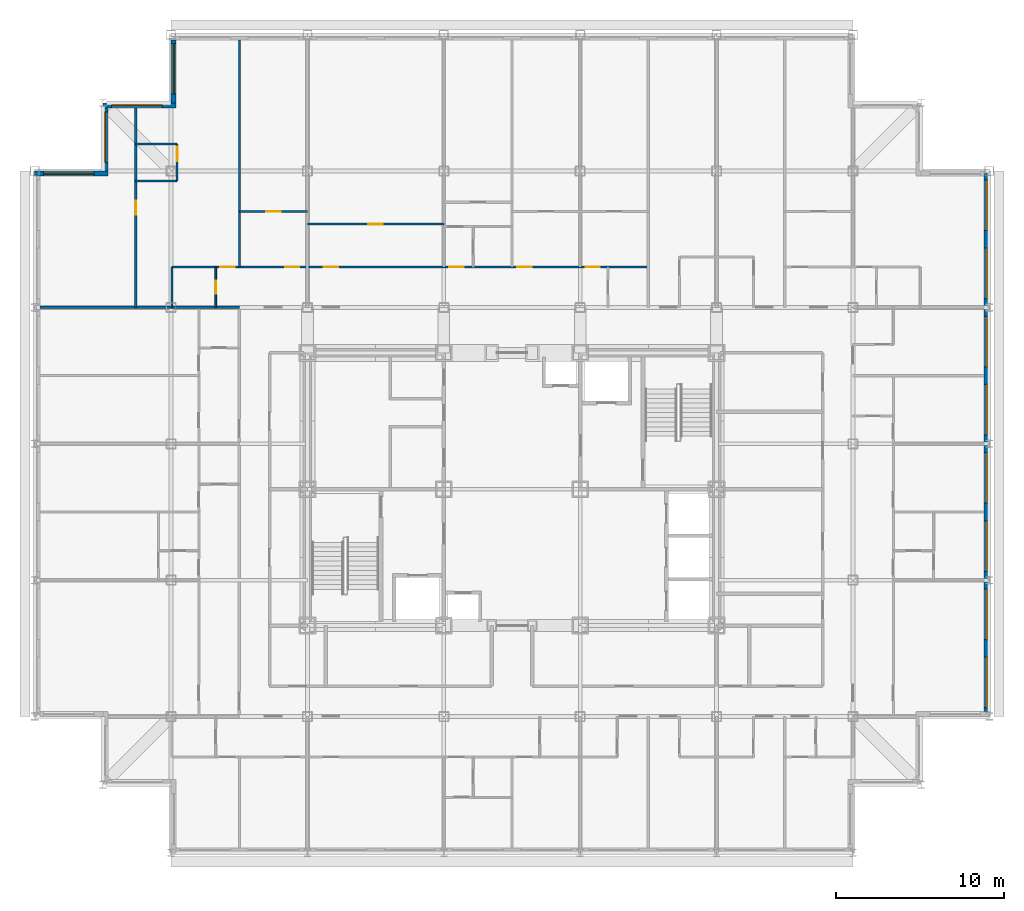
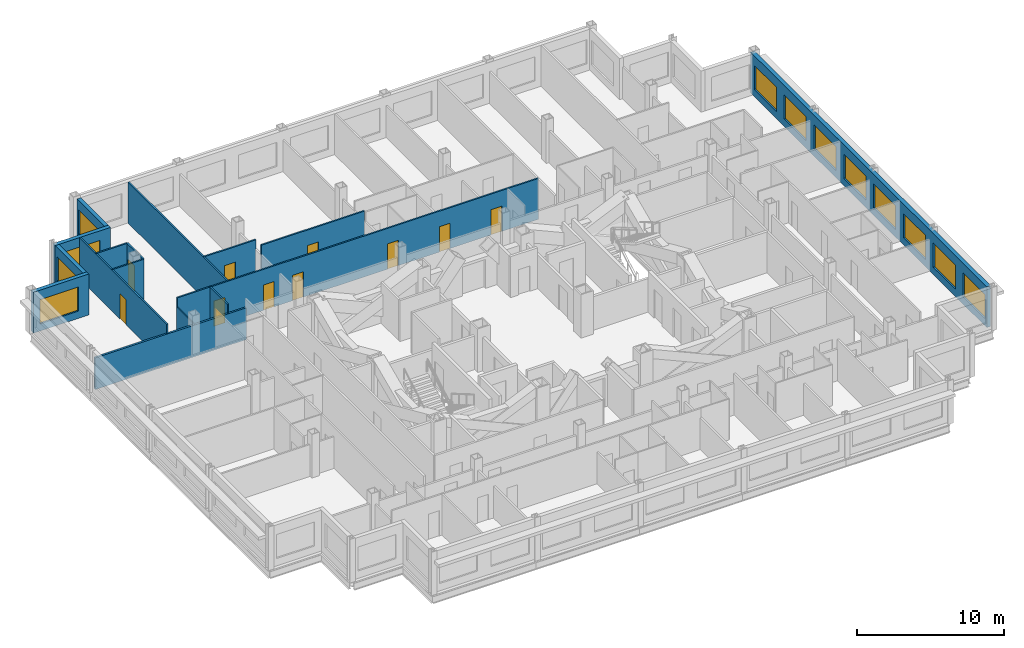
# One storey, part 9 of 12: 16 walls, 12 windows, 11 doors, 23 openings.
"""IFC4 building model written with IfcOpenShell, lengths in metres."""

from ifc_helpers import new_model, si_unit, direction, frame, frame_2d, origin, place, context, subcontext, project, spatial, rectangle, extrude, material, layer, layer_set, type_object, element, fill, save


model = new_model("IFC4")

# Units and contexts
model_context = context("Model", 3, precision=1e-05, world=origin(), true_north=direction((0.0, 1.0)))
body_context = subcontext(model_context, "Body", "Model", "MODEL_VIEW")
ifc_project = project(units=[si_unit("LENGTHUNIT", "METRE"), si_unit("AREAUNIT", "SQUARE_METRE"), si_unit("VOLUMEUNIT", "CUBIC_METRE"), si_unit("PLANEANGLEUNIT", "RADIAN"), si_unit("MASSUNIT", "GRAM", prefix="KILO")], contexts=[model_context])

# Site, building, storey
site_placement = place(None, origin())
site = spatial("IfcSite", under=ifc_project, at=site_placement, CompositionType="ELEMENT")
building_placement = place(site_placement, origin())
building = spatial("IfcBuilding", under=site, at=building_placement, Name="Kopane Lantern Tower", CompositionType="ELEMENT")
storey_placement = place(building_placement, frame((0.0, 0.0, 220.800048828125)))
storey = spatial("IfcBuildingStorey", under=building, at=storey_placement, Name="L57", CompositionType="ELEMENT", Elevation=220.800048828125)

# Wall, openings, doors
ifc_material_1 = material(Name="Gypsum board on steel studs", Category="steel")
ifc_layer_1 = layer(ifc_material_1, 0.1201171875)
ifc_layer_set_1 = layer_set([ifc_layer_1], Name="APARTMENT INTERNAL WALL 120")
wall_type_1 = type_object("IfcWallType", Name="APARTMENT INTERNAL WALL 120", PredefinedType="PARTITIONING", material=ifc_layer_set_1)
wall_1_placement = place(storey_placement, frame((8.14990234375, 45.60009765625, 0.0), z_axis=(0.0, 0.0, 1.0), x_axis=(1.0, 0.0, 0.0)))
wall_1 = element("IfcWall", 1, at=wall_1_placement, inside=storey, type_object=wall_type_1, Name="Apartment Internal Wall 120 L57", PredefinedType="PARTITIONING", context=body_context, shape_type="SweptSolid", body=[
    extrude(rectangle(XDim=28.300048828125, YDim=0.1201171875, at=frame_2d((14.14990234375, 0.0))), origin(), (0.0, 0.0, 1.0), 3.389892578125),
])
opening_1_placement = place(wall_1_placement, frame((9.02490234375, 0.0, 0.0)))
opening_1 = element("IfcOpeningElement", 2, at=opening_1_placement, cuts=wall_1, Name="Opening L57-026", PredefinedType="OPENING", context=body_context, shape_type="SweptSolid", body=[
    extrude(rectangle(XDim=0.85009765625, YDim=2.10009765625, at=frame_2d((0.425048828125, 1.050048828125))), frame((0.0, 0.070068359375, 0.0), z_axis=(0.0, -1.0, 0.0), x_axis=(1.0, 0.0, 0.0)), (0.0, 0.0, 1.0), 0.14013671875),
])
opening_2_placement = place(wall_1_placement, frame((16.47509765625, 0.0, 0.0)))
opening_2 = element("IfcOpeningElement", 3, at=opening_2_placement, cuts=wall_1, Name="Opening L57-028", PredefinedType="OPENING", context=body_context, shape_type="SweptSolid", body=[
    extrude(rectangle(XDim=0.85009765625, YDim=2.10009765625, at=frame_2d((0.425048828125, 1.050048828125))), frame((0.0, 0.070068359375, 0.0), z_axis=(0.0, -1.0, 0.0), x_axis=(1.0, 0.0, 0.0)), (0.0, 0.0, 1.0), 0.14013671875),
])
opening_3_placement = place(wall_1_placement, frame((20.52490234375, 0.0, 0.0)))
opening_3 = element("IfcOpeningElement", 4, at=opening_3_placement, cuts=wall_1, Name="Opening L57-029", PredefinedType="OPENING", context=body_context, shape_type="SweptSolid", body=[
    extrude(rectangle(XDim=0.85009765625, YDim=2.10009765625, at=frame_2d((0.425048828125, 1.050048828125))), frame((0.0, 0.070068359375, 0.0), z_axis=(0.0, -1.0, 0.0), x_axis=(1.0, 0.0, 0.0)), (0.0, 0.0, 1.0), 0.14013671875),
])
opening_4_placement = place(wall_1_placement, frame((24.574951171875, 0.0, 0.0)))
opening_4 = element("IfcOpeningElement", 5, at=opening_4_placement, cuts=wall_1, Name="Opening L57-030", PredefinedType="OPENING", context=body_context, shape_type="SweptSolid", body=[
    extrude(rectangle(XDim=0.85009765625, YDim=2.10009765625, at=frame_2d((0.425048828125, 1.050048828125))), frame((0.0, 0.070068359375, 0.0), z_axis=(0.0, -1.0, 0.0), x_axis=(1.0, 0.0, 0.0)), (0.0, 0.0, 1.0), 0.14013671875),
])
opening_5_placement = place(wall_1_placement, frame((6.72509765625, 0.0, 0.0)))
opening_5 = element("IfcOpeningElement", 6, at=opening_5_placement, cuts=wall_1, Name="Opening L57-066", PredefinedType="OPENING", context=body_context, shape_type="SweptSolid", body=[
    extrude(rectangle(XDim=0.85009765625, YDim=2.10009765625, at=frame_2d((0.425048828125, 1.050048828125))), frame((0.0, 0.070068359375, 0.0), z_axis=(0.0, -1.0, 0.0), x_axis=(1.0, 0.0, 0.0)), (0.0, 0.0, 1.0), 0.14013671875),
])
opening_6_placement = place(wall_1_placement, frame((2.875, 0.0, 0.0)))
opening_6 = element("IfcOpeningElement", 7, at=opening_6_placement, cuts=wall_1, Name="Opening L57-068", PredefinedType="OPENING", context=body_context, shape_type="SweptSolid", body=[
    extrude(rectangle(XDim=0.85009765625, YDim=2.10009765625, at=frame_2d((0.425048828125, 1.050048828125))), frame((0.0, 0.070068359375, 0.0), z_axis=(0.0, -1.0, 0.0), x_axis=(1.0, 0.0, 0.0)), (0.0, 0.0, 1.0), 0.14013671875),
])
ifc_material_2 = material(Name="Timber door set", Category="wood")
door_type_1 = type_object("IfcDoorType", Name="DOOR D4 850x2100", OperationType="SINGLE_SWING_LEFT", PredefinedType="DOOR", material=ifc_material_2)
door_1_placement = place(opening_1_placement, origin())
door_1 = element("IfcDoor", 8, at=door_1_placement, inside=storey, type_object=door_type_1, Name="Door L57-026", OperationType="SINGLE_SWING_LEFT", OverallHeight=2.10009765625, OverallWidth=0.85009765625, PredefinedType="DOOR", context=body_context, shape_type="SweptSolid", body=[
    extrude(rectangle(XDim=0.85009765625, YDim=2.10009765625, at=frame_2d((0.425048828125, 1.050048828125))), frame((0.0, 0.02490234375, 0.0), z_axis=(0.0, -1.0, 0.0), x_axis=(1.0, 0.0, 0.0)), (0.0, 0.0, 1.0), 0.050048828125),
])
fill(opening_1, door_1)
door_2_placement = place(opening_2_placement, origin())
door_2 = element("IfcDoor", 9, at=door_2_placement, inside=storey, type_object=door_type_1, Name="Door L57-028", OperationType="SINGLE_SWING_LEFT", OverallHeight=2.10009765625, OverallWidth=0.85009765625, PredefinedType="DOOR", context=body_context, shape_type="SweptSolid", body=[
    extrude(rectangle(XDim=0.85009765625, YDim=2.10009765625, at=frame_2d((0.425048828125, 1.050048828125))), frame((0.0, 0.02490234375, 0.0), z_axis=(0.0, -1.0, 0.0), x_axis=(1.0, 0.0, 0.0)), (0.0, 0.0, 1.0), 0.050048828125),
])
fill(opening_2, door_2)
door_3_placement = place(opening_3_placement, origin())
door_3 = element("IfcDoor", 10, at=door_3_placement, inside=storey, type_object=door_type_1, Name="Door L57-029", OperationType="SINGLE_SWING_LEFT", OverallHeight=2.10009765625, OverallWidth=0.85009765625, PredefinedType="DOOR", context=body_context, shape_type="SweptSolid", body=[
    extrude(rectangle(XDim=0.85009765625, YDim=2.10009765625, at=frame_2d((0.425048828125, 1.050048828125))), frame((0.0, 0.02490234375, 0.0), z_axis=(0.0, -1.0, 0.0), x_axis=(1.0, 0.0, 0.0)), (0.0, 0.0, 1.0), 0.050048828125),
])
fill(opening_3, door_3)
door_4_placement = place(opening_4_placement, origin())
door_4 = element("IfcDoor", 11, at=door_4_placement, inside=storey, type_object=door_type_1, Name="Door L57-030", OperationType="SINGLE_SWING_LEFT", OverallHeight=2.10009765625, OverallWidth=0.85009765625, PredefinedType="DOOR", context=body_context, shape_type="SweptSolid", body=[
    extrude(rectangle(XDim=0.85009765625, YDim=2.10009765625, at=frame_2d((0.425048828125, 1.050048828125))), frame((0.0, 0.02490234375, 0.0), z_axis=(0.0, -1.0, 0.0), x_axis=(1.0, 0.0, 0.0)), (0.0, 0.0, 1.0), 0.050048828125),
])
fill(opening_4, door_4)
door_5_placement = place(opening_5_placement, origin())
door_5 = element("IfcDoor", 12, at=door_5_placement, inside=storey, type_object=door_type_1, Name="Door L57-066", OperationType="SINGLE_SWING_LEFT", OverallHeight=2.10009765625, OverallWidth=0.85009765625, PredefinedType="DOOR", context=body_context, shape_type="SweptSolid", body=[
    extrude(rectangle(XDim=0.85009765625, YDim=2.10009765625, at=frame_2d((0.425048828125, 1.050048828125))), frame((0.0, 0.02490234375, 0.0), z_axis=(0.0, -1.0, 0.0), x_axis=(1.0, 0.0, 0.0)), (0.0, 0.0, 1.0), 0.050048828125),
])
fill(opening_5, door_5)
door_6_placement = place(opening_6_placement, origin())
door_6 = element("IfcDoor", 13, at=door_6_placement, inside=storey, type_object=door_type_1, Name="Door L57-068", OperationType="SINGLE_SWING_RIGHT", OverallHeight=2.10009765625, OverallWidth=0.85009765625, PredefinedType="DOOR", context=body_context, shape_type="SweptSolid", body=[
    extrude(rectangle(XDim=0.85009765625, YDim=2.10009765625, at=frame_2d((0.425048828125, 1.050048828125))), frame((0.0, 0.02490234375, 0.0), z_axis=(0.0, -1.0, 0.0), x_axis=(1.0, 0.0, 0.0)), (0.0, 0.0, 1.0), 0.050048828125),
])
fill(opening_6, door_6)

# Wall
wall_2_placement = place(storey_placement, frame((12.14990234375, 45.60009765625, 0.0), z_axis=(0.0, 0.0, 1.0), x_axis=(0.0, 1.0, 0.0)))
element("IfcWall", 14, at=wall_2_placement, inside=storey, type_object=wall_type_1, Name="Apartment Internal Wall 120 L57", PredefinedType="PARTITIONING", context=body_context, shape_type="SweptSolid", body=[
    extrude(rectangle(XDim=13.5, YDim=0.1201171875, at=frame_2d((6.75, 0.0))), origin(), (0.0, 0.0, 1.0), 3.389892578125),
])

# Wall, opening, door
wall_3_placement = place(storey_placement, frame((16.199951171875, 48.14990234375, 0.0), z_axis=(0.0, 0.0, 1.0), x_axis=(1.0, 0.0, 0.0)))
wall_3 = element("IfcWall", 15, at=wall_3_placement, inside=storey, type_object=wall_type_1, Name="Apartment Internal Wall 120 L57", PredefinedType="PARTITIONING", context=body_context, shape_type="SweptSolid", body=[
    extrude(rectangle(XDim=8.10009765625, YDim=0.1201171875, at=frame_2d((4.050048828125, 0.0))), origin(), (0.0, 0.0, 1.0), 3.389892578125),
])
opening_7_placement = place(wall_3_placement, frame((3.625, 0.0, 0.0)))
opening_7 = element("IfcOpeningElement", 16, at=opening_7_placement, cuts=wall_3, Name="Opening L57-073", PredefinedType="OPENING", context=body_context, shape_type="SweptSolid", body=[
    extrude(rectangle(XDim=0.85009765625, YDim=2.10009765625, at=frame_2d((0.425048828125, 1.050048828125))), frame((0.0, 0.070068359375, 0.0), z_axis=(0.0, -1.0, 0.0), x_axis=(1.0, 0.0, 0.0)), (0.0, 0.0, 1.0), 0.14013671875),
])
door_7_placement = place(opening_7_placement, origin())
door_7 = element("IfcDoor", 17, at=door_7_placement, inside=storey, type_object=door_type_1, Name="Door L57-073", OperationType="SINGLE_SWING_LEFT", OverallHeight=2.10009765625, OverallWidth=0.85009765625, PredefinedType="DOOR", context=body_context, shape_type="SweptSolid", body=[
    extrude(rectangle(XDim=0.85009765625, YDim=2.10009765625, at=frame_2d((0.425048828125, 1.050048828125))), frame((0.0, 0.02490234375, 0.0), z_axis=(0.0, -1.0, 0.0), x_axis=(1.0, 0.0, 0.0)), (0.0, 0.0, 1.0), 0.050048828125),
])
fill(opening_7, door_7)

wall_4_placement = place(storey_placement, frame((12.14990234375, 48.89990234375, 0.0), z_axis=(0.0, 0.0, 1.0), x_axis=(1.0, 0.0, 0.0)))
wall_4 = element("IfcWall", 18, at=wall_4_placement, inside=storey, type_object=wall_type_1, Name="Apartment Internal Wall 120 L57", PredefinedType="PARTITIONING", context=body_context, shape_type="SweptSolid", body=[
    extrude(rectangle(XDim=4.050048828125, YDim=0.1201171875, at=frame_2d((2.02490234375, 0.0))), origin(), (0.0, 0.0, 1.0), 3.389892578125),
])
opening_8_placement = place(wall_4_placement, frame((1.60009765625, 0.0, 0.0)))
opening_8 = element("IfcOpeningElement", 19, at=opening_8_placement, cuts=wall_4, Name="Opening L57-078", PredefinedType="OPENING", context=body_context, shape_type="SweptSolid", body=[
    extrude(rectangle(XDim=0.85009765625, YDim=2.10009765625, at=frame_2d((0.425048828125, 1.050048828125))), frame((0.0, 0.070068359375, 0.0), z_axis=(0.0, -1.0, 0.0), x_axis=(1.0, 0.0, 0.0)), (0.0, 0.0, 1.0), 0.14013671875),
])
door_8_placement = place(opening_8_placement, origin())
door_8 = element("IfcDoor", 20, at=door_8_placement, inside=storey, type_object=door_type_1, Name="Door L57-078", OperationType="SINGLE_SWING_RIGHT", OverallHeight=2.10009765625, OverallWidth=0.85009765625, PredefinedType="DOOR", context=body_context, shape_type="SweptSolid", body=[
    extrude(rectangle(XDim=0.85009765625, YDim=2.10009765625, at=frame_2d((0.425048828125, 1.050048828125))), frame((0.0, 0.02490234375, 0.0), z_axis=(0.0, -1.0, 0.0), x_axis=(1.0, 0.0, 0.0)), (0.0, 0.0, 1.0), 0.050048828125),
])
fill(opening_8, door_8)

wall_5_placement = place(storey_placement, frame((6.0, 43.199951171875, 0.0), z_axis=(0.0, 0.0, 1.0), x_axis=(0.0, 1.0, 0.0)))
wall_5 = element("IfcWall", 21, at=wall_5_placement, inside=storey, type_object=wall_type_1, Name="Apartment Internal Wall 120 L57", PredefinedType="PARTITIONING", context=body_context, shape_type="SweptSolid", body=[
    extrude(rectangle(XDim=11.85009765625, YDim=0.1201171875, at=frame_2d((5.925048828125, 0.0))), origin(), (0.0, 0.0, 1.0), 3.389892578125),
])
opening_9_placement = place(wall_5_placement, frame((5.5, 0.0, 0.0)))
opening_9 = element("IfcOpeningElement", 22, at=opening_9_placement, cuts=wall_5, Name="Opening L57-079", PredefinedType="OPENING", context=body_context, shape_type="SweptSolid", body=[
    extrude(rectangle(XDim=0.85009765625, YDim=2.10009765625, at=frame_2d((0.425048828125, 1.050048828125))), frame((0.0, 0.070068359375, 0.0), z_axis=(0.0, -1.0, 0.0), x_axis=(1.0, 0.0, 0.0)), (0.0, 0.0, 1.0), 0.14013671875),
])
door_9_placement = place(opening_9_placement, origin())
door_9 = element("IfcDoor", 23, at=door_9_placement, inside=storey, type_object=door_type_1, Name="Door L57-079", OperationType="SINGLE_SWING_LEFT", OverallHeight=2.10009765625, OverallWidth=0.85009765625, PredefinedType="DOOR", context=body_context, shape_type="SweptSolid", body=[
    extrude(rectangle(XDim=0.85009765625, YDim=2.10009765625, at=frame_2d((0.425048828125, 1.050048828125))), frame((0.0, 0.02490234375, 0.0), z_axis=(0.0, -1.0, 0.0), x_axis=(1.0, 0.0, 0.0)), (0.0, 0.0, 1.0), 0.050048828125),
])
fill(opening_9, door_9)

# Walls
for number, where, z_axis, x_axis, name in (
    (24, (6.0, 50.699951171875, 0.0), (0.0, 0.0, 1.0), (1.0, 0.0, 0.0), "Apartment Internal Wall 120 L57"),
    (25, (6.0, 52.89990234375, 0.0), (0.0, 0.0, 1.0), (1.0, 0.0, 0.0), "Apartment Internal Wall 120 L57"),
):
    element("IfcWall", number, at=place(storey_placement, frame(where, z_axis=z_axis, x_axis=x_axis)), inside=storey, type_object=wall_type_1, Name=name, PredefinedType="PARTITIONING", context=body_context, shape_type="SweptSolid", body=[
        extrude(rectangle(XDim=2.4599609375, YDim=0.1201171875, at=frame_2d((1.22998046875, 0.0))), origin(), (0.0, 0.0, 1.0), 3.389892578125),
    ])

# Wall, opening, door
wall_6_placement = place(storey_placement, frame((8.4599609375, 50.699951171875, 0.0), z_axis=(0.0, 0.0, 1.0), x_axis=(0.0, 1.0, 0.0)))
wall_6 = element("IfcWall", 26, at=wall_6_placement, inside=storey, type_object=wall_type_1, Name="Apartment Internal Wall 120 L57", PredefinedType="PARTITIONING", context=body_context, shape_type="SweptSolid", body=[
    extrude(rectangle(XDim=2.199951171875, YDim=0.1201171875, at=frame_2d((1.10009765625, 0.0))), origin(), (0.0, 0.0, 1.0), 3.389892578125),
])
opening_10_placement = place(wall_6_placement, frame((1.18994140625, 0.0, 0.0)))
opening_10 = element("IfcOpeningElement", 27, at=opening_10_placement, cuts=wall_6, Name="Opening L57-080", PredefinedType="OPENING", context=body_context, shape_type="SweptSolid", body=[
    extrude(rectangle(XDim=0.85009765625, YDim=2.10009765625, at=frame_2d((0.425048828125, 1.050048828125))), frame((0.0, 0.070068359375, 0.0), z_axis=(0.0, -1.0, 0.0), x_axis=(1.0, 0.0, 0.0)), (0.0, 0.0, 1.0), 0.14013671875),
])
door_10_placement = place(opening_10_placement, origin())
door_10 = element("IfcDoor", 28, at=door_10_placement, inside=storey, type_object=door_type_1, Name="Door L57-080", OperationType="SINGLE_SWING_RIGHT", OverallHeight=2.10009765625, OverallWidth=0.85009765625, PredefinedType="DOOR", context=body_context, shape_type="SweptSolid", body=[
    extrude(rectangle(XDim=0.85009765625, YDim=2.10009765625, at=frame_2d((0.425048828125, 1.050048828125))), frame((0.0, 0.02490234375, 0.0), z_axis=(0.0, -1.0, 0.0), x_axis=(1.0, 0.0, 0.0)), (0.0, 0.0, 1.0), 0.050048828125),
])
fill(opening_10, door_10)

ifc_material_3 = material(Name="Moisture-resistant board on steel studs", Category="steel")
ifc_layer_2 = layer(ifc_material_3, 0.10009765625)
ifc_layer_set_2 = layer_set([ifc_layer_2], Name="BATHROOM WALL 100")
wall_type_2 = type_object("IfcWallType", Name="BATHROOM WALL 100", PredefinedType="PARTITIONING", material=ifc_layer_set_2)
wall_7_placement = place(storey_placement, frame((10.75, 43.199951171875, 0.0), z_axis=(0.0, 0.0, 1.0), x_axis=(0.0, 1.0, 0.0)))
wall_7 = element("IfcWall", 29, at=wall_7_placement, inside=storey, type_object=wall_type_2, Name="Bathroom Wall 100 L57", PredefinedType="PARTITIONING", context=body_context, shape_type="SweptSolid", body=[
    extrude(rectangle(XDim=2.400146484375, YDim=0.10009765625, at=frame_2d((1.2001953125, 0.0))), origin(), (0.0, 0.0, 1.0), 3.389892578125),
])
opening_11_placement = place(wall_7_placement, frame((0.800048828125, 0.0, 0.0)))
opening_11 = element("IfcOpeningElement", 30, at=opening_11_placement, cuts=wall_7, Name="Opening L57-067", PredefinedType="OPENING", context=body_context, shape_type="SweptSolid", body=[
    extrude(rectangle(XDim=0.800048828125, YDim=2.10009765625, at=frame_2d((0.39990234375, 1.050048828125))), frame((0.0, 0.06005859375, 0.0), z_axis=(0.0, -1.0, 0.0), x_axis=(1.0, 0.0, 0.0)), (0.0, 0.0, 1.0), 0.1201171875),
])
ifc_material_4 = material(Name="Timber door set", Category="wood")
door_type_2 = type_object("IfcDoorType", Name="DOOR D2 800x2100", OperationType="SINGLE_SWING_LEFT", PredefinedType="DOOR", material=ifc_material_4)
door_11_placement = place(opening_11_placement, origin())
door_11 = element("IfcDoor", 31, at=door_11_placement, inside=storey, type_object=door_type_2, Name="Door L57-067", OperationType="SINGLE_SWING_LEFT", OverallHeight=2.10009765625, OverallWidth=0.800048828125, PredefinedType="DOOR", context=body_context, shape_type="SweptSolid", body=[
    extrude(rectangle(XDim=0.800048828125, YDim=2.10009765625, at=frame_2d((0.39990234375, 1.050048828125))), frame((0.0, 0.02490234375, 0.0), z_axis=(0.0, -1.0, 0.0), x_axis=(1.0, 0.0, 0.0)), (0.0, 0.0, 1.0), 0.050048828125),
])
fill(opening_11, door_11)

# Walls
wall_8_placement = place(storey_placement, frame((8.14990234375, 43.199951171875, 0.0), z_axis=(0.0, 0.0, 1.0), x_axis=(0.0, 1.0, 0.0)))
element("IfcWall", 32, at=wall_8_placement, inside=storey, type_object=wall_type_2, Name="Bathroom Wall 100 L57", PredefinedType="PARTITIONING", context=body_context, shape_type="SweptSolid", body=[
    extrude(rectangle(XDim=2.400146484375, YDim=0.10009765625, at=frame_2d((1.2001953125, 0.0))), origin(), (0.0, 0.0, 1.0), 2.627685546875),
])
ifc_material_5 = material(Name="Gypsum board on steel studs", Category="steel")
ifc_layer_3 = layer(ifc_material_5, 0.14990234375)
ifc_layer_set_3 = layer_set([ifc_layer_3], Name="DEMISING WALL 150 EI 60")
wall_type_3 = type_object("IfcWallType", Name="DEMISING WALL 150 EI 60", PredefinedType="PARTITIONING", material=ifc_layer_set_3)
wall_9_placement = place(storey_placement, frame((0.300048828125, 43.199951171875, 0.0), z_axis=(0.0, 0.0, 1.0), x_axis=(1.0, 0.0, 0.0)))
element("IfcWall", 33, at=wall_9_placement, inside=storey, type_object=wall_type_3, Name="Demising Wall 150 Ei 60 L57", PredefinedType="PARTITIONING", context=body_context, shape_type="SweptSolid", body=[
    extrude(rectangle(XDim=11.849853515625, YDim=0.14990234375, at=frame_2d((5.9248046875, 0.0))), origin(), (0.0, 0.0, 1.0), 2.627685546875),
])

# Wall, openings, windows
ifc_material_6 = material(Name="Terracotta rainscreen on light steel framing", Category="masonry")
ifc_layer_4 = layer(ifc_material_6, 0.300048828125)
ifc_layer_set_4 = layer_set([ifc_layer_4], Name="EXTERNAL WALL EW1 300 TERRACOTTA")
wall_type_4 = type_object("IfcWallType", Name="EXTERNAL WALL EW1 300 TERRACOTTA", PredefinedType="SOLIDWALL", material=ifc_layer_set_4)
wall_10_placement = place(storey_placement, frame((56.550048828125, 19.199951171875, 0.0), z_axis=(0.0, 0.0, 1.0), x_axis=(0.0, 1.0, 0.0)))
wall_10 = element("IfcWall", 34, at=wall_10_placement, inside=storey, type_object=wall_type_4, Name="External wall E L57", PredefinedType="SOLIDWALL", context=body_context, shape_type="SweptSolid", body=[
    extrude(rectangle(XDim=32.10009765625, YDim=0.300048828125, at=frame_2d((16.050048828125, 0.0))), origin(), (0.0, 0.0, 1.0), 3.389892578125),
])
opening_12_placement = place(wall_10_placement, frame((0.22509765625, 0.0, 0.60009765625)))
opening_12 = element("IfcOpeningElement", 35, at=opening_12_placement, cuts=wall_10, Name="Opening WR300200", PredefinedType="OPENING", context=body_context, shape_type="SweptSolid", body=[
    extrude(rectangle(XDim=3.0, YDim=2.0, at=frame_2d((1.5, 1.0))), frame((0.0, 0.159912109375, 0.0), z_axis=(0.0, -1.0, 0.0), x_axis=(1.0, 0.0, 0.0)), (0.0, 0.0, 1.0), 0.320068359375),
])
opening_13_placement = place(wall_10_placement, frame((4.27490234375, 0.0, 0.60009765625)))
opening_13 = element("IfcOpeningElement", 36, at=opening_13_placement, cuts=wall_10, Name="Opening WR300200", PredefinedType="OPENING", context=body_context, shape_type="SweptSolid", body=[
    extrude(rectangle(XDim=3.0, YDim=2.0, at=frame_2d((1.5, 1.0))), frame((0.0, 0.159912109375, 0.0), z_axis=(0.0, -1.0, 0.0), x_axis=(1.0, 0.0, 0.0)), (0.0, 0.0, 1.0), 0.320068359375),
])
opening_14_placement = place(wall_10_placement, frame((8.324951171875, 0.0, 0.60009765625)))
opening_14 = element("IfcOpeningElement", 37, at=opening_14_placement, cuts=wall_10, Name="Opening WR300200", PredefinedType="OPENING", context=body_context, shape_type="SweptSolid", body=[
    extrude(rectangle(XDim=3.0, YDim=2.0, at=frame_2d((1.5, 1.0))), frame((0.0, 0.159912109375, 0.0), z_axis=(0.0, -1.0, 0.0), x_axis=(1.0, 0.0, 0.0)), (0.0, 0.0, 1.0), 0.320068359375),
])
opening_15_placement = place(wall_10_placement, frame((12.375, 0.0, 0.60009765625)))
opening_15 = element("IfcOpeningElement", 38, at=opening_15_placement, cuts=wall_10, Name="Opening WR300200", PredefinedType="OPENING", context=body_context, shape_type="SweptSolid", body=[
    extrude(rectangle(XDim=3.0, YDim=2.0, at=frame_2d((1.5, 1.0))), frame((0.0, 0.159912109375, 0.0), z_axis=(0.0, -1.0, 0.0), x_axis=(1.0, 0.0, 0.0)), (0.0, 0.0, 1.0), 0.320068359375),
])
opening_16_placement = place(wall_10_placement, frame((16.425048828125, 0.0, 0.60009765625)))
opening_16 = element("IfcOpeningElement", 39, at=opening_16_placement, cuts=wall_10, Name="Opening WR300200", PredefinedType="OPENING", context=body_context, shape_type="SweptSolid", body=[
    extrude(rectangle(XDim=3.0, YDim=2.0, at=frame_2d((1.5, 1.0))), frame((0.0, 0.159912109375, 0.0), z_axis=(0.0, -1.0, 0.0), x_axis=(1.0, 0.0, 0.0)), (0.0, 0.0, 1.0), 0.320068359375),
])
opening_17_placement = place(wall_10_placement, frame((20.47509765625, 0.0, 0.60009765625)))
opening_17 = element("IfcOpeningElement", 40, at=opening_17_placement, cuts=wall_10, Name="Opening WR300200", PredefinedType="OPENING", context=body_context, shape_type="SweptSolid", body=[
    extrude(rectangle(XDim=3.0, YDim=2.0, at=frame_2d((1.5, 1.0))), frame((0.0, 0.159912109375, 0.0), z_axis=(0.0, -1.0, 0.0), x_axis=(1.0, 0.0, 0.0)), (0.0, 0.0, 1.0), 0.320068359375),
])
opening_18_placement = place(wall_10_placement, frame((24.52490234375, 0.0, 0.60009765625)))
opening_18 = element("IfcOpeningElement", 41, at=opening_18_placement, cuts=wall_10, Name="Opening WR300200", PredefinedType="OPENING", context=body_context, shape_type="SweptSolid", body=[
    extrude(rectangle(XDim=3.0, YDim=2.0, at=frame_2d((1.5, 1.0))), frame((0.0, 0.159912109375, 0.0), z_axis=(0.0, -1.0, 0.0), x_axis=(1.0, 0.0, 0.0)), (0.0, 0.0, 1.0), 0.320068359375),
])
opening_19_placement = place(wall_10_placement, frame((28.574951171875, 0.0, 0.60009765625)))
opening_19 = element("IfcOpeningElement", 42, at=opening_19_placement, cuts=wall_10, Name="Opening WR300200", PredefinedType="OPENING", context=body_context, shape_type="SweptSolid", body=[
    extrude(rectangle(XDim=3.0, YDim=2.0, at=frame_2d((1.5, 1.0))), frame((0.0, 0.159912109375, 0.0), z_axis=(0.0, -1.0, 0.0), x_axis=(1.0, 0.0, 0.0)), (0.0, 0.0, 1.0), 0.320068359375),
])
ifc_material_7 = material(Name="Aluminium and clear glass", Category="aluminium")
window_type = type_object("IfcWindowType", Name="RIBBON WINDOW WR300200 3000x2000", PartitioningType="SINGLE_PANEL", PredefinedType="WINDOW", material=ifc_material_7)
window_1_placement = place(opening_12_placement, origin())
window_1 = element("IfcWindow", 43, at=window_1_placement, inside=storey, type_object=window_type, Name="Window E L57", OverallHeight=2.0, OverallWidth=3.0, PartitioningType="SINGLE_PANEL", PredefinedType="WINDOW", context=body_context, shape_type="SweptSolid", body=[
    extrude(rectangle(XDim=3.0, YDim=2.0, at=frame_2d((1.5, 1.0))), frame((0.0, 0.030029296875, 0.0), z_axis=(0.0, -1.0, 0.0), x_axis=(1.0, 0.0, 0.0)), (0.0, 0.0, 1.0), 0.06005859375),
])
fill(opening_12, window_1)
window_2_placement = place(opening_13_placement, origin())
window_2 = element("IfcWindow", 44, at=window_2_placement, inside=storey, type_object=window_type, Name="Window E L57", OverallHeight=2.0, OverallWidth=3.0, PartitioningType="SINGLE_PANEL", PredefinedType="WINDOW", context=body_context, shape_type="SweptSolid", body=[
    extrude(rectangle(XDim=3.0, YDim=2.0, at=frame_2d((1.5, 1.0))), frame((0.0, 0.030029296875, 0.0), z_axis=(0.0, -1.0, 0.0), x_axis=(1.0, 0.0, 0.0)), (0.0, 0.0, 1.0), 0.06005859375),
])
fill(opening_13, window_2)
window_3_placement = place(opening_14_placement, origin())
window_3 = element("IfcWindow", 45, at=window_3_placement, inside=storey, type_object=window_type, Name="Window E L57", OverallHeight=2.0, OverallWidth=3.0, PartitioningType="SINGLE_PANEL", PredefinedType="WINDOW", context=body_context, shape_type="SweptSolid", body=[
    extrude(rectangle(XDim=3.0, YDim=2.0, at=frame_2d((1.5, 1.0))), frame((0.0, 0.030029296875, 0.0), z_axis=(0.0, -1.0, 0.0), x_axis=(1.0, 0.0, 0.0)), (0.0, 0.0, 1.0), 0.06005859375),
])
fill(opening_14, window_3)
window_4_placement = place(opening_15_placement, origin())
window_4 = element("IfcWindow", 46, at=window_4_placement, inside=storey, type_object=window_type, Name="Window E L57", OverallHeight=2.0, OverallWidth=3.0, PartitioningType="SINGLE_PANEL", PredefinedType="WINDOW", context=body_context, shape_type="SweptSolid", body=[
    extrude(rectangle(XDim=3.0, YDim=2.0, at=frame_2d((1.5, 1.0))), frame((0.0, 0.030029296875, 0.0), z_axis=(0.0, -1.0, 0.0), x_axis=(1.0, 0.0, 0.0)), (0.0, 0.0, 1.0), 0.06005859375),
])
fill(opening_15, window_4)
window_5_placement = place(opening_16_placement, origin())
window_5 = element("IfcWindow", 47, at=window_5_placement, inside=storey, type_object=window_type, Name="Window E L57", OverallHeight=2.0, OverallWidth=3.0, PartitioningType="SINGLE_PANEL", PredefinedType="WINDOW", context=body_context, shape_type="SweptSolid", body=[
    extrude(rectangle(XDim=3.0, YDim=2.0, at=frame_2d((1.5, 1.0))), frame((0.0, 0.030029296875, 0.0), z_axis=(0.0, -1.0, 0.0), x_axis=(1.0, 0.0, 0.0)), (0.0, 0.0, 1.0), 0.06005859375),
])
fill(opening_16, window_5)
window_6_placement = place(opening_17_placement, origin())
window_6 = element("IfcWindow", 48, at=window_6_placement, inside=storey, type_object=window_type, Name="Window E L57", OverallHeight=2.0, OverallWidth=3.0, PartitioningType="SINGLE_PANEL", PredefinedType="WINDOW", context=body_context, shape_type="SweptSolid", body=[
    extrude(rectangle(XDim=3.0, YDim=2.0, at=frame_2d((1.5, 1.0))), frame((0.0, 0.030029296875, 0.0), z_axis=(0.0, -1.0, 0.0), x_axis=(1.0, 0.0, 0.0)), (0.0, 0.0, 1.0), 0.06005859375),
])
fill(opening_17, window_6)
window_7_placement = place(opening_18_placement, origin())
window_7 = element("IfcWindow", 49, at=window_7_placement, inside=storey, type_object=window_type, Name="Window E L57", OverallHeight=2.0, OverallWidth=3.0, PartitioningType="SINGLE_PANEL", PredefinedType="WINDOW", context=body_context, shape_type="SweptSolid", body=[
    extrude(rectangle(XDim=3.0, YDim=2.0, at=frame_2d((1.5, 1.0))), frame((0.0, 0.030029296875, 0.0), z_axis=(0.0, -1.0, 0.0), x_axis=(1.0, 0.0, 0.0)), (0.0, 0.0, 1.0), 0.06005859375),
])
fill(opening_18, window_7)
window_8_placement = place(opening_19_placement, origin())
window_8 = element("IfcWindow", 50, at=window_8_placement, inside=storey, type_object=window_type, Name="Window E L57", OverallHeight=2.0, OverallWidth=3.0, PartitioningType="SINGLE_PANEL", PredefinedType="WINDOW", context=body_context, shape_type="SweptSolid", body=[
    extrude(rectangle(XDim=3.0, YDim=2.0, at=frame_2d((1.5, 1.0))), frame((0.0, 0.030029296875, 0.0), z_axis=(0.0, -1.0, 0.0), x_axis=(1.0, 0.0, 0.0)), (0.0, 0.0, 1.0), 0.06005859375),
])
fill(opening_19, window_8)

# Wall, opening, window
wall_11_placement = place(storey_placement, frame((8.25, 59.10009765625, 0.0), z_axis=(0.0, 0.0, 1.0), x_axis=(0.0, -1.0, 0.0)))
wall_11 = element("IfcWall", 51, at=wall_11_placement, inside=storey, type_object=wall_type_4, Name="External wall W L57", PredefinedType="SOLIDWALL", context=body_context, shape_type="SweptSolid", body=[
    extrude(rectangle(XDim=3.75, YDim=0.300048828125, at=frame_2d((1.875, 0.0))), origin(), (0.0, 0.0, 1.0), 3.389892578125),
])
opening_20_placement = place(wall_11_placement, frame((0.22509765625, 0.0, 0.60009765625)))
opening_20 = element("IfcOpeningElement", 52, at=opening_20_placement, cuts=wall_11, Name="Opening WR300200", PredefinedType="OPENING", context=body_context, shape_type="SweptSolid", body=[
    extrude(rectangle(XDim=3.0, YDim=2.0, at=frame_2d((1.5, 1.0))), frame((0.0, 0.159912109375, 0.0), z_axis=(0.0, -1.0, 0.0), x_axis=(1.0, 0.0, 0.0)), (0.0, 0.0, 1.0), 0.320068359375),
])
window_9_placement = place(opening_20_placement, origin())
window_9 = element("IfcWindow", 53, at=window_9_placement, inside=storey, type_object=window_type, Name="Window W L57", OverallHeight=2.0, OverallWidth=3.0, PartitioningType="SINGLE_PANEL", PredefinedType="WINDOW", context=body_context, shape_type="SweptSolid", body=[
    extrude(rectangle(XDim=3.0, YDim=2.0, at=frame_2d((1.5, 1.0))), frame((0.0, 0.030029296875, 0.0), z_axis=(0.0, -1.0, 0.0), x_axis=(1.0, 0.0, 0.0)), (0.0, 0.0, 1.0), 0.06005859375),
])
fill(opening_20, window_9)

wall_12_placement = place(storey_placement, frame((8.39990234375, 55.199951171875, 0.0), z_axis=(0.0, 0.0, 1.0), x_axis=(-1.0, 0.0, 0.0)))
wall_12 = element("IfcWall", 54, at=wall_12_placement, inside=storey, type_object=wall_type_4, Name="External wall N L57", PredefinedType="SOLIDWALL", context=body_context, shape_type="SweptSolid", body=[
    extrude(rectangle(XDim=4.349853515625, YDim=0.300048828125, at=frame_2d((2.1748046875, 0.0))), origin(), (0.0, 0.0, 1.0), 3.389892578125),
])
opening_21_placement = place(wall_12_placement, frame((0.824951171875, 0.0, 0.60009765625)))
opening_21 = element("IfcOpeningElement", 55, at=opening_21_placement, cuts=wall_12, Name="Opening WR300200", PredefinedType="OPENING", context=body_context, shape_type="SweptSolid", body=[
    extrude(rectangle(XDim=3.0, YDim=2.0, at=frame_2d((1.5, 1.0))), frame((0.0, 0.159912109375, 0.0), z_axis=(0.0, -1.0, 0.0), x_axis=(1.0, 0.0, 0.0)), (0.0, 0.0, 1.0), 0.320068359375),
])
window_10_placement = place(opening_21_placement, origin())
window_10 = element("IfcWindow", 56, at=window_10_placement, inside=storey, type_object=window_type, Name="Window N L57", OverallHeight=2.0, OverallWidth=3.0, PartitioningType="SINGLE_PANEL", PredefinedType="WINDOW", context=body_context, shape_type="SweptSolid", body=[
    extrude(rectangle(XDim=3.0, YDim=2.0, at=frame_2d((1.5, 1.0))), frame((0.0, 0.030029296875, 0.0), z_axis=(0.0, -1.0, 0.0), x_axis=(1.0, 0.0, 0.0)), (0.0, 0.0, 1.0), 0.06005859375),
])
fill(opening_21, window_10)

wall_13_placement = place(storey_placement, frame((4.199951171875, 55.050048828125, 0.0), z_axis=(0.0, 0.0, 1.0), x_axis=(0.0, -1.0, 0.0)))
wall_13 = element("IfcWall", 57, at=wall_13_placement, inside=storey, type_object=wall_type_4, Name="External wall W L57", PredefinedType="SOLIDWALL", context=body_context, shape_type="SweptSolid", body=[
    extrude(rectangle(XDim=3.75, YDim=0.300048828125, at=frame_2d((1.875, 0.0))), origin(), (0.0, 0.0, 1.0), 3.389892578125),
])
opening_22_placement = place(wall_13_placement, frame((0.22509765625, 0.0, 0.60009765625)))
opening_22 = element("IfcOpeningElement", 58, at=opening_22_placement, cuts=wall_13, Name="Opening WR300200", PredefinedType="OPENING", context=body_context, shape_type="SweptSolid", body=[
    extrude(rectangle(XDim=3.0, YDim=2.0, at=frame_2d((1.5, 1.0))), frame((0.0, 0.159912109375, 0.0), z_axis=(0.0, -1.0, 0.0), x_axis=(1.0, 0.0, 0.0)), (0.0, 0.0, 1.0), 0.320068359375),
])
window_11_placement = place(opening_22_placement, origin())
window_11 = element("IfcWindow", 59, at=window_11_placement, inside=storey, type_object=window_type, Name="Window W L57", OverallHeight=2.0, OverallWidth=3.0, PartitioningType="SINGLE_PANEL", PredefinedType="WINDOW", context=body_context, shape_type="SweptSolid", body=[
    extrude(rectangle(XDim=3.0, YDim=2.0, at=frame_2d((1.5, 1.0))), frame((0.0, 0.030029296875, 0.0), z_axis=(0.0, -1.0, 0.0), x_axis=(1.0, 0.0, 0.0)), (0.0, 0.0, 1.0), 0.06005859375),
])
fill(opening_22, window_11)

wall_14_placement = place(storey_placement, frame((4.35009765625, 51.14990234375, 0.0), z_axis=(0.0, 0.0, 1.0), x_axis=(-1.0, 0.0, 0.0)))
wall_14 = element("IfcWall", 60, at=wall_14_placement, inside=storey, type_object=wall_type_4, Name="External wall N L57", PredefinedType="SOLIDWALL", context=body_context, shape_type="SweptSolid", body=[
    extrude(rectangle(XDim=4.35009765625, YDim=0.300048828125, at=frame_2d((2.175048828125, 0.0))), origin(), (0.0, 0.0, 1.0), 3.389892578125),
])
opening_23_placement = place(wall_14_placement, frame((0.824951171875, 0.0, 0.60009765625)))
opening_23 = element("IfcOpeningElement", 61, at=opening_23_placement, cuts=wall_14, Name="Opening WR300200", PredefinedType="OPENING", context=body_context, shape_type="SweptSolid", body=[
    extrude(rectangle(XDim=3.0, YDim=2.0, at=frame_2d((1.5, 1.0))), frame((0.0, 0.159912109375, 0.0), z_axis=(0.0, -1.0, 0.0), x_axis=(1.0, 0.0, 0.0)), (0.0, 0.0, 1.0), 0.320068359375),
])
window_12_placement = place(opening_23_placement, origin())
window_12 = element("IfcWindow", 62, at=window_12_placement, inside=storey, type_object=window_type, Name="Window N L57", OverallHeight=2.0, OverallWidth=3.0, PartitioningType="SINGLE_PANEL", PredefinedType="WINDOW", context=body_context, shape_type="SweptSolid", body=[
    extrude(rectangle(XDim=3.0, YDim=2.0, at=frame_2d((1.5, 1.0))), frame((0.0, 0.030029296875, 0.0), z_axis=(0.0, -1.0, 0.0), x_axis=(1.0, 0.0, 0.0)), (0.0, 0.0, 1.0), 0.06005859375),
])
fill(opening_23, window_12)

save(model, "model.ifc")
